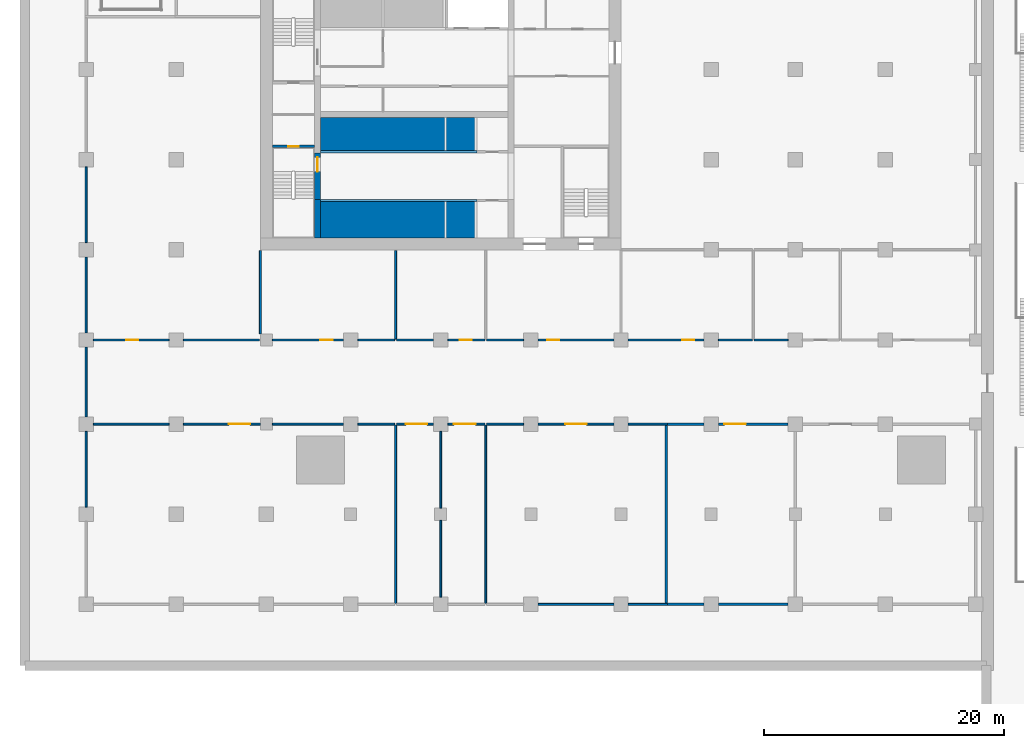
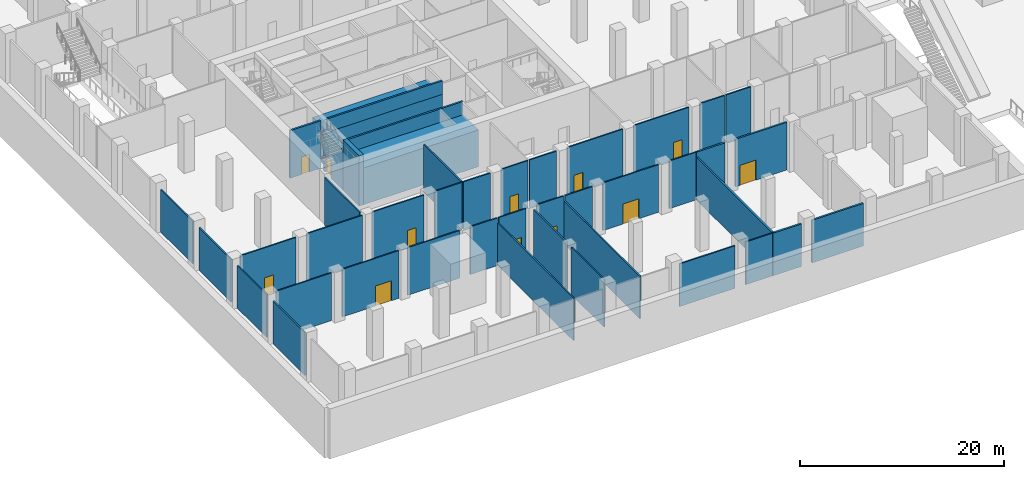
# One storey, part 5 of 45: 44 walls, 12 doors, 12 openings.
"""IFC4 building model written with IfcOpenShell, lengths in metres."""

from ifc_helpers import new_model, si_unit, direction, frame, frame_2d, origin, place, context, subcontext, project, spatial, rectangle, extrude, material, layer, layer_set, type_object, element, fill, save


model = new_model("IFC4")

# Units and contexts
model_context = context("Model", 3, precision=1e-05, world=origin(), true_north=direction((0.0, 1.0)))
body_context = subcontext(model_context, "Body", "Model", "MODEL_VIEW")
ifc_project = project(units=[si_unit("LENGTHUNIT", "METRE"), si_unit("AREAUNIT", "SQUARE_METRE"), si_unit("VOLUMEUNIT", "CUBIC_METRE"), si_unit("PLANEANGLEUNIT", "RADIAN"), si_unit("MASSUNIT", "GRAM", prefix="KILO")], contexts=[model_context])

# Site, building, storey
site_placement = place(None, origin())
site = spatial("IfcSite", under=ifc_project, at=site_placement, CompositionType="ELEMENT")
building_placement = place(site_placement, origin())
building = spatial("IfcBuilding", under=site, at=building_placement, Name="Tamorin Gate", CompositionType="ELEMENT")
storey_placement = place(building_placement, frame((0.0, 0.0, -6.0)))
storey = spatial("IfcBuildingStorey", under=building, at=storey_placement, Name="B1", CompositionType="ELEMENT", Elevation=-6.0)

# Walls
ifc_material_1 = material(Name="Concrete C32/40", Category="concrete")
ifc_layer_1 = layer(ifc_material_1, 0.199951171875)
ifc_layer_set_1 = layer_set([ifc_layer_1], Name="Lift lobby face wall 200 EI 120")
wall_type_1 = type_object("IfcWallType", Name="Lift lobby face wall 200 EI 120", PredefinedType="SOLIDWALL", material=ifc_layer_set_1)
for number, where, z_axis, x_axis, name in (
    (1, (35.0, 64.10009765625, 4.39990234375), (0.0, 0.0, 1.0), (1.0, 0.0, 0.0), "Lift lobby face wall"),
    (2, (35.0, 68.14990234375, 4.39990234375), (0.0, 0.0, 1.0), (1.0, 0.0, 0.0), "Lift lobby face wall"),
):
    element("IfcWall", number, at=place(storey_placement, frame(where, z_axis=z_axis, x_axis=x_axis)), inside=storey, type_object=wall_type_1, Name=name, PredefinedType="SOLIDWALL", context=body_context, shape_type="SweptSolid", body=[
        extrude(rectangle(XDim=13.0, YDim=0.199951171875, at=frame_2d((6.5, 0.0))), origin(), (0.0, 0.0, 1.0), 1.60009765625),
    ])
ifc_material_2 = material(Name="Concrete C40/50", Category="concrete")
ifc_layer_2 = layer(ifc_material_2, 2.949951171875)
ifc_layer_set_2 = layer_set([ifc_layer_2], Name="Lift pit plinth wall 2950 C40/50")
wall_type_2 = type_object("IfcWallType", Name="Lift pit plinth wall 2950 C40/50", PredefinedType="SOLIDWALL", material=ifc_layer_set_2)
wall_1_placement = place(storey_placement, frame((35.0, 69.52490234375, 0.0), z_axis=(0.0, 0.0, 1.0), x_axis=(1.0, 0.0, 0.0)))
element("IfcWall", 3, at=wall_1_placement, inside=storey, type_object=wall_type_2, Name="Lift pit plinth", PredefinedType="SOLIDWALL", context=body_context, shape_type="SweptSolid", body=[
    extrude(rectangle(XDim=13.0, YDim=2.949951171875, at=frame_2d((6.5, 0.0))), origin(), (0.0, 0.0, 1.0), 4.39990234375),
])
ifc_layer_3 = layer(ifc_material_2, 3.199951171875)
ifc_layer_set_3 = layer_set([ifc_layer_3], Name="Lift pit plinth wall 3200 C40/50")
wall_type_3 = type_object("IfcWallType", Name="Lift pit plinth wall 3200 C40/50", PredefinedType="SOLIDWALL", material=ifc_layer_set_3)
wall_2_placement = place(storey_placement, frame((35.0, 62.60009765625, 0.0), z_axis=(0.0, 0.0, 1.0), x_axis=(1.0, 0.0, 0.0)))
element("IfcWall", 4, at=wall_2_placement, inside=storey, type_object=wall_type_3, Name="Lift pit plinth", PredefinedType="SOLIDWALL", context=body_context, shape_type="SweptSolid", body=[
    extrude(rectangle(XDim=13.0, YDim=3.199951171875, at=frame_2d((6.5, 0.0))), origin(), (0.0, 0.0, 1.0), 4.39990234375),
])
ifc_material_3 = material(Name="Concrete masonry C20/25", Category="masonry")
ifc_layer_4 = layer(ifc_material_3, 0.14990234375)
ifc_layer_set_4 = layer_set([ifc_layer_4], Name="Partition 150")
wall_type_4 = type_object("IfcWallType", Name="Partition 150", PredefinedType="PARTITIONING", material=ifc_layer_set_4)
wall_3_placement = place(storey_placement, frame((16.10009765625, 45.5, 0.0), z_axis=(0.0, 0.0, 1.0), x_axis=(1.0, 0.0, 0.0)))
element("IfcWall", 5, at=wall_3_placement, inside=storey, type_object=wall_type_4, Name="Partition 150 B1", PredefinedType="PARTITIONING", context=body_context, shape_type="SweptSolid", body=[
    extrude(rectangle(XDim=6.2998046875, YDim=0.14990234375, at=frame_2d((3.14990234375, 0.0))), origin(), (0.0, 0.0, 1.0), 5.699951171875),
])

# Wall, opening, door
wall_4_placement = place(storey_placement, frame((23.60009765625, 45.5, 0.0), z_axis=(0.0, 0.0, 1.0), x_axis=(1.0, 0.0, 0.0)))
wall_4 = element("IfcWall", 6, at=wall_4_placement, inside=storey, type_object=wall_type_4, Name="Partition 150 B1", PredefinedType="PARTITIONING", context=body_context, shape_type="SweptSolid", body=[
    extrude(rectangle(XDim=6.39990234375, YDim=0.14990234375, at=frame_2d((3.199951171875, 0.0))), origin(), (0.0, 0.0, 1.0), 5.699951171875),
])
opening_1_placement = place(wall_4_placement, frame((3.75, 0.0, 0.0)))
opening_1 = element("IfcOpeningElement", 7, at=opening_1_placement, cuts=wall_4, Name="Opening DP3", PredefinedType="OPENING", context=body_context, shape_type="SweptSolid", body=[
    extrude(rectangle(XDim=1.800048828125, YDim=2.39990234375, at=frame_2d((0.89990234375, 1.199951171875))), frame((0.0, 0.0849609375, 0.0), z_axis=(0.0, -1.0, 0.0), x_axis=(1.0, 0.0, 0.0)), (0.0, 0.0, 1.0), 0.169921875),
])
ifc_material_4 = material(Name="Steel and glass", Category="steel")
door_type_1 = type_object("IfcDoorType", Name="Door pair 1800", OperationType="DOUBLE_DOOR_SINGLE_SWING", PredefinedType="DOOR", material=ifc_material_4)
door_1_placement = place(opening_1_placement, origin())
door_1 = element("IfcDoor", 8, at=door_1_placement, inside=storey, type_object=door_type_1, Name="Door pair 1800 B1", OperationType="SINGLE_SWING_LEFT", OverallHeight=2.39990234375, OverallWidth=1.800048828125, PredefinedType="DOOR", context=body_context, shape_type="SweptSolid", body=[
    extrude(rectangle(XDim=1.800048828125, YDim=2.39990234375, at=frame_2d((0.89990234375, 1.199951171875))), frame((0.0, 0.02490234375, 0.0), z_axis=(0.0, -1.0, 0.0), x_axis=(1.0, 0.0, 0.0)), (0.0, 0.0, 1.0), 0.050048828125),
])
fill(opening_1, door_1)

# Walls
wall_5_placement = place(storey_placement, frame((31.0, 45.5, 0.0), z_axis=(0.0, 0.0, 1.0), x_axis=(1.0, 0.0, 0.0)))
element("IfcWall", 9, at=wall_5_placement, inside=storey, type_object=wall_type_4, Name="Partition 150 B1", PredefinedType="PARTITIONING", context=body_context, shape_type="SweptSolid", body=[
    extrude(rectangle(XDim=5.89990234375, YDim=0.14990234375, at=frame_2d((2.949951171875, 0.0))), origin(), (0.0, 0.0, 1.0), 5.699951171875),
])
wall_6_placement = place(storey_placement, frame((38.10009765625, 45.5, 0.0), z_axis=(0.0, 0.0, 1.0), x_axis=(1.0, 0.0, 0.0)))
element("IfcWall", 10, at=wall_6_placement, inside=storey, type_object=wall_type_4, Name="Partition 150 B1", PredefinedType="PARTITIONING", context=body_context, shape_type="SweptSolid", body=[
    extrude(rectangle(XDim=3.074951171875, YDim=0.14990234375, at=frame_2d((1.53759765625, 0.0))), origin(), (0.0, 0.0, 1.0), 5.699951171875),
])

# Wall, opening, door
wall_7_placement = place(storey_placement, frame((41.324951171875, 45.5, 0.0), z_axis=(0.0, 0.0, 1.0), x_axis=(1.0, 0.0, 0.0)))
wall_7 = element("IfcWall", 11, at=wall_7_placement, inside=storey, type_object=wall_type_4, Name="Partition 150 B1", PredefinedType="PARTITIONING", context=body_context, shape_type="SweptSolid", body=[
    extrude(rectangle(XDim=3.074951171875, YDim=0.14990234375, at=frame_2d((1.53759765625, 0.0))), origin(), (0.0, 0.0, 1.0), 5.699951171875),
])
opening_2_placement = place(wall_7_placement, frame((0.75, 0.0, 0.0)))
opening_2 = element("IfcOpeningElement", 12, at=opening_2_placement, cuts=wall_7, Name="Opening DP3", PredefinedType="OPENING", context=body_context, shape_type="SweptSolid", body=[
    extrude(rectangle(XDim=1.800048828125, YDim=2.39990234375, at=frame_2d((0.89990234375, 1.199951171875))), frame((0.0, 0.0849609375, 0.0), z_axis=(0.0, -1.0, 0.0), x_axis=(1.0, 0.0, 0.0)), (0.0, 0.0, 1.0), 0.169921875),
])
door_2_placement = place(opening_2_placement, origin())
door_2 = element("IfcDoor", 13, at=door_2_placement, inside=storey, type_object=door_type_1, Name="Door pair 1800 B1", OperationType="SINGLE_SWING_LEFT", OverallHeight=2.39990234375, OverallWidth=1.800048828125, PredefinedType="DOOR", context=body_context, shape_type="SweptSolid", body=[
    extrude(rectangle(XDim=1.800048828125, YDim=2.39990234375, at=frame_2d((0.89990234375, 1.199951171875))), frame((0.0, 0.02490234375, 0.0), z_axis=(0.0, -1.0, 0.0), x_axis=(1.0, 0.0, 0.0)), (0.0, 0.0, 1.0), 0.050048828125),
])
fill(opening_2, door_2)

wall_8_placement = place(storey_placement, frame((45.60009765625, 45.5, 0.0), z_axis=(0.0, 0.0, 1.0), x_axis=(1.0, 0.0, 0.0)))
wall_8 = element("IfcWall", 14, at=wall_8_placement, inside=storey, type_object=wall_type_4, Name="Partition 150 B1", PredefinedType="PARTITIONING", context=body_context, shape_type="SweptSolid", body=[
    extrude(rectangle(XDim=3.074951171875, YDim=0.14990234375, at=frame_2d((1.53759765625, 0.0))), origin(), (0.0, 0.0, 1.0), 5.699951171875),
])
opening_3_placement = place(wall_8_placement, frame((0.5, 0.0, 0.0)))
opening_3 = element("IfcOpeningElement", 15, at=opening_3_placement, cuts=wall_8, Name="Opening DP3", PredefinedType="OPENING", context=body_context, shape_type="SweptSolid", body=[
    extrude(rectangle(XDim=1.800048828125, YDim=2.39990234375, at=frame_2d((0.89990234375, 1.199951171875))), frame((0.0, 0.0849609375, 0.0), z_axis=(0.0, -1.0, 0.0), x_axis=(1.0, 0.0, 0.0)), (0.0, 0.0, 1.0), 0.169921875),
])
door_3_placement = place(opening_3_placement, origin())
door_3 = element("IfcDoor", 16, at=door_3_placement, inside=storey, type_object=door_type_1, Name="Door pair 1800 B1", OperationType="SINGLE_SWING_LEFT", OverallHeight=2.39990234375, OverallWidth=1.800048828125, PredefinedType="DOOR", context=body_context, shape_type="SweptSolid", body=[
    extrude(rectangle(XDim=1.800048828125, YDim=2.39990234375, at=frame_2d((0.89990234375, 1.199951171875))), frame((0.0, 0.02490234375, 0.0), z_axis=(0.0, -1.0, 0.0), x_axis=(1.0, 0.0, 0.0)), (0.0, 0.0, 1.0), 0.050048828125),
])
fill(opening_3, door_3)

# Wall
wall_9_placement = place(storey_placement, frame((48.824951171875, 45.5, 0.0), z_axis=(0.0, 0.0, 1.0), x_axis=(1.0, 0.0, 0.0)))
element("IfcWall", 17, at=wall_9_placement, inside=storey, type_object=wall_type_4, Name="Partition 150 B1", PredefinedType="PARTITIONING", context=body_context, shape_type="SweptSolid", body=[
    extrude(rectangle(XDim=3.074951171875, YDim=0.14990234375, at=frame_2d((1.53759765625, 0.0))), origin(), (0.0, 0.0, 1.0), 5.699951171875),
])

# Wall, opening, door
wall_10_placement = place(storey_placement, frame((53.10009765625, 45.5, 0.0), z_axis=(0.0, 0.0, 1.0), x_axis=(1.0, 0.0, 0.0)))
wall_10 = element("IfcWall", 18, at=wall_10_placement, inside=storey, type_object=wall_type_4, Name="Partition 150 B1", PredefinedType="PARTITIONING", context=body_context, shape_type="SweptSolid", body=[
    extrude(rectangle(XDim=6.2998046875, YDim=0.14990234375, at=frame_2d((3.14990234375, 0.0))), origin(), (0.0, 0.0, 1.0), 5.699951171875),
])
opening_4_placement = place(wall_10_placement, frame((2.25, 0.0, 0.0)))
opening_4 = element("IfcOpeningElement", 19, at=opening_4_placement, cuts=wall_10, Name="Opening DP3", PredefinedType="OPENING", context=body_context, shape_type="SweptSolid", body=[
    extrude(rectangle(XDim=1.800048828125, YDim=2.39990234375, at=frame_2d((0.89990234375, 1.199951171875))), frame((0.0, 0.0849609375, 0.0), z_axis=(0.0, -1.0, 0.0), x_axis=(1.0, 0.0, 0.0)), (0.0, 0.0, 1.0), 0.169921875),
])
door_4_placement = place(opening_4_placement, origin())
door_4 = element("IfcDoor", 20, at=door_4_placement, inside=storey, type_object=door_type_1, Name="Door pair 1800 B1", OperationType="SINGLE_SWING_LEFT", OverallHeight=2.39990234375, OverallWidth=1.800048828125, PredefinedType="DOOR", context=body_context, shape_type="SweptSolid", body=[
    extrude(rectangle(XDim=1.800048828125, YDim=2.39990234375, at=frame_2d((0.89990234375, 1.199951171875))), frame((0.0, 0.02490234375, 0.0), z_axis=(0.0, -1.0, 0.0), x_axis=(1.0, 0.0, 0.0)), (0.0, 0.0, 1.0), 0.050048828125),
])
fill(opening_4, door_4)

# Wall
wall_11_placement = place(storey_placement, frame((60.60009765625, 45.5, 0.0), z_axis=(0.0, 0.0, 1.0), x_axis=(1.0, 0.0, 0.0)))
element("IfcWall", 21, at=wall_11_placement, inside=storey, type_object=wall_type_4, Name="Partition 150 B1", PredefinedType="PARTITIONING", context=body_context, shape_type="SweptSolid", body=[
    extrude(rectangle(XDim=3.25, YDim=0.14990234375, at=frame_2d((1.625, 0.0))), origin(), (0.0, 0.0, 1.0), 5.699951171875),
])

# Wall, opening, door
wall_12_placement = place(storey_placement, frame((22.39990234375, 52.5, 0.0), z_axis=(0.0, 0.0, 1.0), x_axis=(-1.0, 0.0, 0.0)))
wall_12 = element("IfcWall", 22, at=wall_12_placement, inside=storey, type_object=wall_type_4, Name="Partition 150 B1", PredefinedType="PARTITIONING", context=body_context, shape_type="SweptSolid", body=[
    extrude(rectangle(XDim=6.2998046875, YDim=0.14990234375, at=frame_2d((3.14990234375, 0.0))), origin(), (0.0, 0.0, 1.0), 5.699951171875),
])
opening_5_placement = place(wall_12_placement, frame((2.550048828125, 0.0, 0.0)))
opening_5 = element("IfcOpeningElement", 23, at=opening_5_placement, cuts=wall_12, Name="Opening DP2", PredefinedType="OPENING", context=body_context, shape_type="SweptSolid", body=[
    extrude(rectangle(XDim=1.0, YDim=2.10009765625, at=frame_2d((0.5, 1.050048828125))), frame((0.0, 0.0849609375, 0.0), z_axis=(0.0, -1.0, 0.0), x_axis=(1.0, 0.0, 0.0)), (0.0, 0.0, 1.0), 0.169921875),
])
ifc_material_5 = material(Name="Painted steel", Category="steel")
door_type_2 = type_object("IfcDoorType", Name="Door single 1000", OperationType="SINGLE_SWING_LEFT", PredefinedType="DOOR", material=ifc_material_5)
door_5_placement = place(opening_5_placement, origin())
door_5 = element("IfcDoor", 24, at=door_5_placement, inside=storey, type_object=door_type_2, Name="Door single 1000 B1", OperationType="SINGLE_SWING_LEFT", OverallHeight=2.10009765625, OverallWidth=1.0, PredefinedType="DOOR", context=body_context, shape_type="SweptSolid", body=[
    extrude(rectangle(XDim=1.0, YDim=2.10009765625, at=frame_2d((0.5, 1.050048828125))), frame((0.0, 0.02490234375, 0.0), z_axis=(0.0, -1.0, 0.0), x_axis=(1.0, 0.0, 0.0)), (0.0, 0.0, 1.0), 0.050048828125),
])
fill(opening_5, door_5)

# Wall
wall_13_placement = place(storey_placement, frame((23.60009765625, 52.5, 0.0), z_axis=(0.0, 0.0, 1.0), x_axis=(1.0, 0.0, 0.0)))
element("IfcWall", 25, at=wall_13_placement, inside=storey, type_object=wall_type_4, Name="Partition 150 B1", PredefinedType="PARTITIONING", context=body_context, shape_type="SweptSolid", body=[
    extrude(rectangle(XDim=6.324951171875, YDim=0.14990234375, at=frame_2d((3.16259765625, 0.0))), origin(), (0.0, 0.0, 1.0), 5.699951171875),
])

# Wall, opening, door
wall_14_placement = place(storey_placement, frame((36.89990234375, 52.5, 0.0), z_axis=(0.0, 0.0, 1.0), x_axis=(-1.0, 0.0, 0.0)))
wall_14 = element("IfcWall", 26, at=wall_14_placement, inside=storey, type_object=wall_type_4, Name="Partition 150 B1", PredefinedType="PARTITIONING", context=body_context, shape_type="SweptSolid", body=[
    extrude(rectangle(XDim=5.89990234375, YDim=0.14990234375, at=frame_2d((2.949951171875, 0.0))), origin(), (0.0, 0.0, 1.0), 5.699951171875),
])
opening_6_placement = place(wall_14_placement, frame((0.89990234375, 0.0, 0.0)))
opening_6 = element("IfcOpeningElement", 27, at=opening_6_placement, cuts=wall_14, Name="Opening DP2", PredefinedType="OPENING", context=body_context, shape_type="SweptSolid", body=[
    extrude(rectangle(XDim=1.0, YDim=2.10009765625, at=frame_2d((0.5, 1.050048828125))), frame((0.0, 0.0849609375, 0.0), z_axis=(0.0, -1.0, 0.0), x_axis=(1.0, 0.0, 0.0)), (0.0, 0.0, 1.0), 0.169921875),
])
door_6_placement = place(opening_6_placement, origin())
door_6 = element("IfcDoor", 28, at=door_6_placement, inside=storey, type_object=door_type_2, Name="Door single 1000 B1", OperationType="SINGLE_SWING_LEFT", OverallHeight=2.10009765625, OverallWidth=1.0, PredefinedType="DOOR", context=body_context, shape_type="SweptSolid", body=[
    extrude(rectangle(XDim=1.0, YDim=2.10009765625, at=frame_2d((0.5, 1.050048828125))), frame((0.0, 0.02490234375, 0.0), z_axis=(0.0, -1.0, 0.0), x_axis=(1.0, 0.0, 0.0)), (0.0, 0.0, 1.0), 0.050048828125),
])
fill(opening_6, door_6)

# Walls
for number, where, z_axis, x_axis, name in (
    (29, (38.10009765625, 52.5, 0.0), (0.0, 0.0, 1.0), (1.0, 0.0, 0.0), "Partition 150 B1"),
    (30, (41.324951171875, 52.5, 0.0), (0.0, 0.0, 1.0), (1.0, 0.0, 0.0), "Partition 150 B1"),
):
    element("IfcWall", number, at=place(storey_placement, frame(where, z_axis=z_axis, x_axis=x_axis)), inside=storey, type_object=wall_type_4, Name=name, PredefinedType="PARTITIONING", context=body_context, shape_type="SweptSolid", body=[
        extrude(rectangle(XDim=3.074951171875, YDim=0.14990234375, at=frame_2d((1.53759765625, 0.0))), origin(), (0.0, 0.0, 1.0), 5.699951171875),
    ])

# Wall, opening, door
wall_15_placement = place(storey_placement, frame((48.675048828125, 52.5, 0.0), z_axis=(0.0, 0.0, 1.0), x_axis=(-1.0, 0.0, 0.0)))
wall_15 = element("IfcWall", 31, at=wall_15_placement, inside=storey, type_object=wall_type_4, Name="Partition 150 B1", PredefinedType="PARTITIONING", context=body_context, shape_type="SweptSolid", body=[
    extrude(rectangle(XDim=3.074951171875, YDim=0.14990234375, at=frame_2d((1.53759765625, 0.0))), origin(), (0.0, 0.0, 1.0), 5.699951171875),
])
opening_7_placement = place(wall_15_placement, frame((1.074951171875, 0.0, 0.0)))
opening_7 = element("IfcOpeningElement", 32, at=opening_7_placement, cuts=wall_15, Name="Opening DP2", PredefinedType="OPENING", context=body_context, shape_type="SweptSolid", body=[
    extrude(rectangle(XDim=1.0, YDim=2.10009765625, at=frame_2d((0.5, 1.050048828125))), frame((0.0, 0.0849609375, 0.0), z_axis=(0.0, -1.0, 0.0), x_axis=(1.0, 0.0, 0.0)), (0.0, 0.0, 1.0), 0.169921875),
])
door_7_placement = place(opening_7_placement, origin())
door_7 = element("IfcDoor", 33, at=door_7_placement, inside=storey, type_object=door_type_2, Name="Door single 1000 B1", OperationType="SINGLE_SWING_LEFT", OverallHeight=2.10009765625, OverallWidth=1.0, PredefinedType="DOOR", context=body_context, shape_type="SweptSolid", body=[
    extrude(rectangle(XDim=1.0, YDim=2.10009765625, at=frame_2d((0.5, 1.050048828125))), frame((0.0, 0.02490234375, 0.0), z_axis=(0.0, -1.0, 0.0), x_axis=(1.0, 0.0, 0.0)), (0.0, 0.0, 1.0), 0.050048828125),
])
fill(opening_7, door_7)

# Wall
wall_16_placement = place(storey_placement, frame((48.824951171875, 52.5, 0.0), z_axis=(0.0, 0.0, 1.0), x_axis=(1.0, 0.0, 0.0)))
element("IfcWall", 34, at=wall_16_placement, inside=storey, type_object=wall_type_4, Name="Partition 150 B1", PredefinedType="PARTITIONING", context=body_context, shape_type="SweptSolid", body=[
    extrude(rectangle(XDim=3.074951171875, YDim=0.14990234375, at=frame_2d((1.53759765625, 0.0))), origin(), (0.0, 0.0, 1.0), 5.699951171875),
])

# Wall, opening, door
wall_17_placement = place(storey_placement, frame((59.39990234375, 52.5, 0.0), z_axis=(0.0, 0.0, 1.0), x_axis=(-1.0, 0.0, 0.0)))
wall_17 = element("IfcWall", 35, at=wall_17_placement, inside=storey, type_object=wall_type_4, Name="Partition 150 B1", PredefinedType="PARTITIONING", context=body_context, shape_type="SweptSolid", body=[
    extrude(rectangle(XDim=6.2998046875, YDim=0.14990234375, at=frame_2d((3.14990234375, 0.0))), origin(), (0.0, 0.0, 1.0), 5.699951171875),
])
opening_8_placement = place(wall_17_placement, frame((4.550048828125, 0.0, 0.0)))
opening_8 = element("IfcOpeningElement", 36, at=opening_8_placement, cuts=wall_17, Name="Opening DP2", PredefinedType="OPENING", context=body_context, shape_type="SweptSolid", body=[
    extrude(rectangle(XDim=1.0, YDim=2.10009765625, at=frame_2d((0.5, 1.050048828125))), frame((0.0, 0.0849609375, 0.0), z_axis=(0.0, -1.0, 0.0), x_axis=(1.0, 0.0, 0.0)), (0.0, 0.0, 1.0), 0.169921875),
])
door_8_placement = place(opening_8_placement, origin())
door_8 = element("IfcDoor", 37, at=door_8_placement, inside=storey, type_object=door_type_2, Name="Door single 1000 B1", OperationType="SINGLE_SWING_LEFT", OverallHeight=2.10009765625, OverallWidth=1.0, PredefinedType="DOOR", context=body_context, shape_type="SweptSolid", body=[
    extrude(rectangle(XDim=1.0, YDim=2.10009765625, at=frame_2d((0.5, 1.050048828125))), frame((0.0, 0.02490234375, 0.0), z_axis=(0.0, -1.0, 0.0), x_axis=(1.0, 0.0, 0.0)), (0.0, 0.0, 1.0), 0.050048828125),
])
fill(opening_8, door_8)

wall_18_placement = place(storey_placement, frame((66.89990234375, 52.5, 0.0), z_axis=(0.0, 0.0, 1.0), x_axis=(-1.0, 0.0, 0.0)))
wall_18 = element("IfcWall", 38, at=wall_18_placement, inside=storey, type_object=wall_type_4, Name="Partition 150 B1", PredefinedType="PARTITIONING", context=body_context, shape_type="SweptSolid", body=[
    extrude(rectangle(XDim=6.2998046875, YDim=0.14990234375, at=frame_2d((3.14990234375, 0.0))), origin(), (0.0, 0.0, 1.0), 5.699951171875),
])
opening_9_placement = place(wall_18_placement, frame((0.800048828125, 0.0, 0.0)))
opening_9 = element("IfcOpeningElement", 39, at=opening_9_placement, cuts=wall_18, Name="Opening DP2", PredefinedType="OPENING", context=body_context, shape_type="SweptSolid", body=[
    extrude(rectangle(XDim=1.0, YDim=2.10009765625, at=frame_2d((0.5, 1.050048828125))), frame((0.0, 0.0849609375, 0.0), z_axis=(0.0, -1.0, 0.0), x_axis=(1.0, 0.0, 0.0)), (0.0, 0.0, 1.0), 0.169921875),
])
door_9_placement = place(opening_9_placement, origin())
door_9 = element("IfcDoor", 40, at=door_9_placement, inside=storey, type_object=door_type_2, Name="Door single 1000 B1", OperationType="SINGLE_SWING_LEFT", OverallHeight=2.10009765625, OverallWidth=1.0, PredefinedType="DOOR", context=body_context, shape_type="SweptSolid", body=[
    extrude(rectangle(XDim=1.0, YDim=2.10009765625, at=frame_2d((0.5, 1.050048828125))), frame((0.0, 0.02490234375, 0.0), z_axis=(0.0, -1.0, 0.0), x_axis=(1.0, 0.0, 0.0)), (0.0, 0.0, 1.0), 0.050048828125),
])
fill(opening_9, door_9)

# Walls
for number, where, z_axis, x_axis, name in (
    (41, (68.10009765625, 52.5, 0.0), (0.0, 0.0, 1.0), (1.0, 0.0, 0.0), "Partition 150 B1"),
    (42, (71.074951171875, 52.5, 0.0), (0.0, 0.0, 1.0), (1.0, 0.0, 0.0), "Partition 150 B1"),
):
    element("IfcWall", number, at=place(storey_placement, frame(where, z_axis=z_axis, x_axis=x_axis)), inside=storey, type_object=wall_type_4, Name=name, PredefinedType="PARTITIONING", context=body_context, shape_type="SweptSolid", body=[
        extrude(rectangle(XDim=2.824951171875, YDim=0.14990234375, at=frame_2d((1.41259765625, 0.0))), origin(), (0.0, 0.0, 1.0), 5.699951171875),
    ])
wall_19_placement = place(storey_placement, frame((53.10009765625, 30.5, 0.0), z_axis=(0.0, 0.0, 1.0), x_axis=(1.0, 0.0, 0.0)))
element("IfcWall", 43, at=wall_19_placement, inside=storey, type_object=wall_type_4, Name="Partition 150 B1", PredefinedType="PARTITIONING", context=body_context, shape_type="SweptSolid", body=[
    extrude(rectangle(XDim=6.2998046875, YDim=0.14990234375, at=frame_2d((3.14990234375, 0.0))), origin(), (0.0, 0.0, 1.0), 5.10009765625),
])
wall_20_placement = place(storey_placement, frame((60.60009765625, 30.5, 0.0), z_axis=(0.0, 0.0, 1.0), x_axis=(1.0, 0.0, 0.0)))
element("IfcWall", 44, at=wall_20_placement, inside=storey, type_object=wall_type_4, Name="Partition 150 B1", PredefinedType="PARTITIONING", context=body_context, shape_type="SweptSolid", body=[
    extrude(rectangle(XDim=3.25, YDim=0.14990234375, at=frame_2d((1.625, 0.0))), origin(), (0.0, 0.0, 1.0), 5.10009765625),
])
wall_21_placement = place(storey_placement, frame((15.5, 38.60009765625, 0.0), z_axis=(0.0, 0.0, 1.0), x_axis=(0.0, 1.0, 0.0)))
element("IfcWall", 45, at=wall_21_placement, inside=storey, type_object=wall_type_4, Name="Partition 150 B1", PredefinedType="PARTITIONING", context=body_context, shape_type="SweptSolid", body=[
    extrude(rectangle(XDim=6.2998046875, YDim=0.14990234375, at=frame_2d((3.14990234375, 0.0))), origin(), (0.0, 0.0, 1.0), 5.10009765625),
])
wall_22_placement = place(storey_placement, frame((15.5, 46.10009765625, 0.0), z_axis=(0.0, 0.0, 1.0), x_axis=(0.0, 1.0, 0.0)))
element("IfcWall", 46, at=wall_22_placement, inside=storey, type_object=wall_type_4, Name="Partition 150 B1", PredefinedType="PARTITIONING", context=body_context, shape_type="SweptSolid", body=[
    extrude(rectangle(XDim=5.7998046875, YDim=0.14990234375, at=frame_2d((2.89990234375, 0.0))), origin(), (0.0, 0.0, 1.0), 5.10009765625),
])
for number, where, z_axis, x_axis, name in (
    (47, (15.5, 53.10009765625, 0.0), (0.0, 0.0, 1.0), (0.0, 1.0, 0.0), "Partition 150 B1"),
    (48, (15.5, 60.60009765625, 0.0), (0.0, 0.0, 1.0), (0.0, 1.0, 0.0), "Partition 150 B1"),
):
    element("IfcWall", number, at=place(storey_placement, frame(where, z_axis=z_axis, x_axis=x_axis)), inside=storey, type_object=wall_type_4, Name=name, PredefinedType="PARTITIONING", context=body_context, shape_type="SweptSolid", body=[
        extrude(rectangle(XDim=6.2998046875, YDim=0.14990234375, at=frame_2d((3.14990234375, 0.0))), origin(), (0.0, 0.0, 1.0), 5.10009765625),
    ])
for number, where, z_axis, x_axis, name in (
    (49, (45.0, 31.10009765625, 0.0), (0.0, 0.0, 1.0), (0.0, 1.0, 0.0), "Partition 150 B1"),
    (50, (45.0, 38.5, 0.0), (0.0, 0.0, 1.0), (0.0, 1.0, 0.0), "Partition 150 B1"),
):
    element("IfcWall", number, at=place(storey_placement, frame(where, z_axis=z_axis, x_axis=x_axis)), inside=storey, type_object=wall_type_4, Name=name, PredefinedType="PARTITIONING", context=body_context, shape_type="SweptSolid", body=[
        extrude(rectangle(XDim=6.39990234375, YDim=0.14990234375, at=frame_2d((3.199951171875, 0.0))), origin(), (0.0, 0.0, 1.0), 5.699951171875),
    ])
wall_23_placement = place(storey_placement, frame((41.25, 30.574951171875, 0.0), z_axis=(0.0, 0.0, 1.0), x_axis=(0.0, 1.0, 0.0)))
element("IfcWall", 51, at=wall_23_placement, inside=storey, type_object=wall_type_4, Name="Partition 150 B1", PredefinedType="PARTITIONING", context=body_context, shape_type="SweptSolid", body=[
    extrude(rectangle(XDim=14.85009765625, YDim=0.14990234375, at=frame_2d((7.425048828125, 0.0))), origin(), (0.0, 0.0, 1.0), 5.10009765625),
])
wall_24_placement = place(storey_placement, frame((41.25, 52.574951171875, 0.0), z_axis=(0.0, 0.0, 1.0), x_axis=(0.0, 1.0, 0.0)))
element("IfcWall", 52, at=wall_24_placement, inside=storey, type_object=wall_type_4, Name="Partition 150 B1", PredefinedType="PARTITIONING", context=body_context, shape_type="SweptSolid", body=[
    extrude(rectangle(XDim=7.35009765625, YDim=0.14990234375, at=frame_2d((3.675048828125, 0.0))), origin(), (0.0, 0.0, 1.0), 5.699951171875),
])
wall_25_placement = place(storey_placement, frame((48.75, 30.574951171875, 0.0), z_axis=(0.0, 0.0, 1.0), x_axis=(0.0, 1.0, 0.0)))
element("IfcWall", 53, at=wall_25_placement, inside=storey, type_object=wall_type_4, Name="Partition 150 B1", PredefinedType="PARTITIONING", context=body_context, shape_type="SweptSolid", body=[
    extrude(rectangle(XDim=14.85009765625, YDim=0.14990234375, at=frame_2d((7.425048828125, 0.0))), origin(), (0.0, 0.0, 1.0), 5.10009765625),
])
wall_26_placement = place(storey_placement, frame((30.0, 53.0, 0.0), z_axis=(0.0, 0.0, 1.0), x_axis=(0.0, 1.0, 0.0)))
element("IfcWall", 54, at=wall_26_placement, inside=storey, type_object=wall_type_4, Name="Partition 150 B1", PredefinedType="PARTITIONING", context=body_context, shape_type="SweptSolid", body=[
    extrude(rectangle(XDim=6.925048828125, YDim=0.14990234375, at=frame_2d((3.46240234375, 0.0))), origin(), (0.0, 0.0, 1.0), 5.699951171875),
])
ifc_layer_5 = layer(ifc_material_3, 0.199951171875)
ifc_layer_set_5 = layer_set([ifc_layer_5], Name="Plant room wall 200")
wall_type_5 = type_object("IfcWallType", Name="Plant room wall 200", PredefinedType="PARTITIONING", material=ifc_layer_set_5)
wall_27_placement = place(storey_placement, frame((63.64990234375, 45.5, 0.0), z_axis=(0.0, 0.0, 1.0), x_axis=(1.0, 0.0, 0.0)))
element("IfcWall", 55, at=wall_27_placement, inside=storey, type_object=wall_type_5, Name="Plant room wall 200 B1", PredefinedType="PARTITIONING", context=body_context, shape_type="SweptSolid", body=[
    extrude(rectangle(XDim=3.25, YDim=0.199951171875, at=frame_2d((1.625, 0.0))), origin(), (0.0, 0.0, 1.0), 5.699951171875),
])

# Wall, opening, door
wall_28_placement = place(storey_placement, frame((68.10009765625, 45.5, 0.0), z_axis=(0.0, 0.0, 1.0), x_axis=(1.0, 0.0, 0.0)))
wall_28 = element("IfcWall", 56, at=wall_28_placement, inside=storey, type_object=wall_type_5, Name="Plant room wall 200 B1", PredefinedType="PARTITIONING", context=body_context, shape_type="SweptSolid", body=[
    extrude(rectangle(XDim=5.7998046875, YDim=0.199951171875, at=frame_2d((2.89990234375, 0.0))), origin(), (0.0, 0.0, 1.0), 5.699951171875),
])
opening_10_placement = place(wall_28_placement, frame((0.5, 0.0, 0.0)))
opening_10 = element("IfcOpeningElement", 57, at=opening_10_placement, cuts=wall_28, Name="Opening DP3", PredefinedType="OPENING", context=body_context, shape_type="SweptSolid", body=[
    extrude(rectangle(XDim=1.800048828125, YDim=2.39990234375, at=frame_2d((0.89990234375, 1.199951171875))), frame((0.0, 0.10986328125, 0.0), z_axis=(0.0, -1.0, 0.0), x_axis=(1.0, 0.0, 0.0)), (0.0, 0.0, 1.0), 0.219970703125),
])
door_10_placement = place(opening_10_placement, origin())
door_10 = element("IfcDoor", 58, at=door_10_placement, inside=storey, type_object=door_type_1, Name="Door pair 1800 B1", OperationType="SINGLE_SWING_LEFT", OverallHeight=2.39990234375, OverallWidth=1.800048828125, PredefinedType="DOOR", context=body_context, shape_type="SweptSolid", body=[
    extrude(rectangle(XDim=1.800048828125, YDim=2.39990234375, at=frame_2d((0.89990234375, 1.199951171875))), frame((0.0, 0.02490234375, 0.0), z_axis=(0.0, -1.0, 0.0), x_axis=(1.0, 0.0, 0.0)), (0.0, 0.0, 1.0), 0.050048828125),
])
fill(opening_10, door_10)

# Walls
wall_29_placement = place(storey_placement, frame((63.64990234375, 30.5, 0.0), z_axis=(0.0, 0.0, 1.0), x_axis=(1.0, 0.0, 0.0)))
element("IfcWall", 59, at=wall_29_placement, inside=storey, type_object=wall_type_5, Name="Plant room wall 200 B1", PredefinedType="PARTITIONING", context=body_context, shape_type="SweptSolid", body=[
    extrude(rectangle(XDim=3.25, YDim=0.199951171875, at=frame_2d((1.625, 0.0))), origin(), (0.0, 0.0, 1.0), 5.10009765625),
])
wall_30_placement = place(storey_placement, frame((68.10009765625, 30.5, 0.0), z_axis=(0.0, 0.0, 1.0), x_axis=(1.0, 0.0, 0.0)))
element("IfcWall", 60, at=wall_30_placement, inside=storey, type_object=wall_type_5, Name="Plant room wall 200 B1", PredefinedType="PARTITIONING", context=body_context, shape_type="SweptSolid", body=[
    extrude(rectangle(XDim=5.7998046875, YDim=0.199951171875, at=frame_2d((2.89990234375, 0.0))), origin(), (0.0, 0.0, 1.0), 5.10009765625),
])
wall_31_placement = place(storey_placement, frame((63.75, 30.574951171875, 0.0), z_axis=(0.0, 0.0, 1.0), x_axis=(0.0, 1.0, 0.0)))
element("IfcWall", 61, at=wall_31_placement, inside=storey, type_object=wall_type_5, Name="Plant room wall 200 B1", PredefinedType="PARTITIONING", context=body_context, shape_type="SweptSolid", body=[
    extrude(rectangle(XDim=14.85009765625, YDim=0.199951171875, at=frame_2d((7.425048828125, 0.0))), origin(), (0.0, 0.0, 1.0), 5.10009765625),
])
ifc_material_6 = material(Name="Concrete C80/95", Category="concrete")
ifc_layer_6 = layer(ifc_material_6, 0.5)
ifc_layer_set_6 = layer_set([ifc_layer_6], Name="RC core internal wall 500 C80/95")
wall_type_6 = type_object("IfcWallType", Name="RC core internal wall 500 C80/95", PredefinedType="SHEAR", material=ifc_layer_set_6)
wall_32_placement = place(storey_placement, frame((34.75, 61.0, 0.0), z_axis=(0.0, 0.0, 1.0), x_axis=(0.0, 1.0, 0.0)))
element("IfcWall", 62, at=wall_32_placement, inside=storey, type_object=wall_type_6, Name="Core cross wall B1", PredefinedType="SHEAR", context=body_context, shape_type="SweptSolid", body=[
    extrude(rectangle(XDim=3.199951171875, YDim=0.5, at=frame_2d((1.60009765625, 0.0))), origin(), (0.0, 0.0, 1.0), 6.0),
])

# Wall, opening, door
ifc_layer_7 = layer(ifc_material_2, 0.199951171875)
ifc_layer_set_7 = layer_set([ifc_layer_7], Name="Stair enclosure wall 200 EI 120 C40/50")
wall_type_7 = type_object("IfcWallType", Name="Stair enclosure wall 200 EI 120 C40/50", PredefinedType="SOLIDWALL", material=ifc_layer_set_7)
wall_33_placement = place(storey_placement, frame((31.0, 68.60009765625, 0.0), z_axis=(0.0, 0.0, 1.0), x_axis=(1.0, 0.0, 0.0)))
wall_33 = element("IfcWall", 63, at=wall_33_placement, inside=storey, type_object=wall_type_7, Name="Stair enclosure wall", PredefinedType="SOLIDWALL", context=body_context, shape_type="SweptSolid", body=[
    extrude(rectangle(XDim=3.5, YDim=0.199951171875, at=frame_2d((1.75, 0.0))), origin(), (0.0, 0.0, 1.0), 5.699951171875),
])
opening_11_placement = place(wall_33_placement, frame((1.300048828125, 0.0, 0.0)))
opening_11 = element("IfcOpeningElement", 64, at=opening_11_placement, cuts=wall_33, Name="Opening DR1", PredefinedType="OPENING", context=body_context, shape_type="SweptSolid", body=[
    extrude(rectangle(XDim=0.89990234375, YDim=2.10009765625, at=frame_2d((0.449951171875, 1.050048828125))), frame((0.0, 0.10986328125, 0.0), z_axis=(0.0, -1.0, 0.0), x_axis=(1.0, 0.0, 0.0)), (0.0, 0.0, 1.0), 0.219970703125),
])
ifc_material_7 = material(Name="Steel fire door", Category="steel")
door_type_3 = type_object("IfcDoorType", Name="Riser access door 900 x 2100 EI 120", OperationType="SINGLE_SWING_LEFT", PredefinedType="DOOR", material=ifc_material_7)
door_11_placement = place(opening_11_placement, origin())
door_11 = element("IfcDoor", 65, at=door_11_placement, inside=storey, type_object=door_type_3, Name="Electrical riser door", OperationType="SINGLE_SWING_LEFT", OverallHeight=2.10009765625, OverallWidth=0.89990234375, PredefinedType="DOOR", context=body_context, shape_type="SweptSolid", body=[
    extrude(rectangle(XDim=0.89990234375, YDim=2.10009765625, at=frame_2d((0.449951171875, 1.050048828125))), frame((0.0, 0.02490234375, 0.0), z_axis=(0.0, -1.0, 0.0), x_axis=(1.0, 0.0, 0.0)), (0.0, 0.0, 1.0), 0.050048828125),
])
fill(opening_11, door_11)

ifc_layer_8 = layer(ifc_material_1, 0.5)
ifc_layer_set_8 = layer_set([ifc_layer_8], Name="Stair lobby infill wall 500 EI 120")
wall_type_8 = type_object("IfcWallType", Name="Stair lobby infill wall 500 EI 120", PredefinedType="SOLIDWALL", material=ifc_layer_set_8)
wall_34_placement = place(storey_placement, frame((34.75, 64.199951171875, 0.0), z_axis=(0.0, 0.0, 1.0), x_axis=(0.0, 1.0, 0.0)))
wall_34 = element("IfcWall", 66, at=wall_34_placement, inside=storey, type_object=wall_type_8, Name="Stair lobby infill wall", PredefinedType="SOLIDWALL", context=body_context, shape_type="SweptSolid", body=[
    extrude(rectangle(XDim=3.85009765625, YDim=0.5, at=frame_2d((1.925048828125, 0.0))), origin(), (0.0, 0.0, 1.0), 4.800048828125),
])
opening_12_placement = place(wall_34_placement, frame((2.300048828125, 0.0, 0.0)))
opening_12 = element("IfcOpeningElement", 67, at=opening_12_placement, cuts=wall_34, Name="Opening DS1", PredefinedType="OPENING", context=body_context, shape_type="SweptSolid", body=[
    extrude(rectangle(XDim=1.199951171875, YDim=2.10009765625, at=frame_2d((0.60009765625, 1.050048828125))), frame((0.0, 0.260009765625, 0.0), z_axis=(0.0, -1.0, 0.0), x_axis=(1.0, 0.0, 0.0)), (0.0, 0.0, 1.0), 0.52001953125),
])
door_type_4 = type_object("IfcDoorType", Name="Stair door 1200 x 2100 EI 90", OperationType="SINGLE_SWING_LEFT", PredefinedType="DOOR", material=ifc_material_7)
door_12_placement = place(opening_12_placement, origin())
door_12 = element("IfcDoor", 68, at=door_12_placement, inside=storey, type_object=door_type_4, Name="ST1 door", OperationType="SINGLE_SWING_LEFT", OverallHeight=2.10009765625, OverallWidth=1.199951171875, PredefinedType="DOOR", context=body_context, shape_type="SweptSolid", body=[
    extrude(rectangle(XDim=1.199951171875, YDim=2.10009765625, at=frame_2d((0.60009765625, 1.050048828125))), frame((0.0, 0.02490234375, 0.0), z_axis=(0.0, -1.0, 0.0), x_axis=(1.0, 0.0, 0.0)), (0.0, 0.0, 1.0), 0.050048828125),
])
fill(opening_12, door_12)

save(model, "model.ifc")
